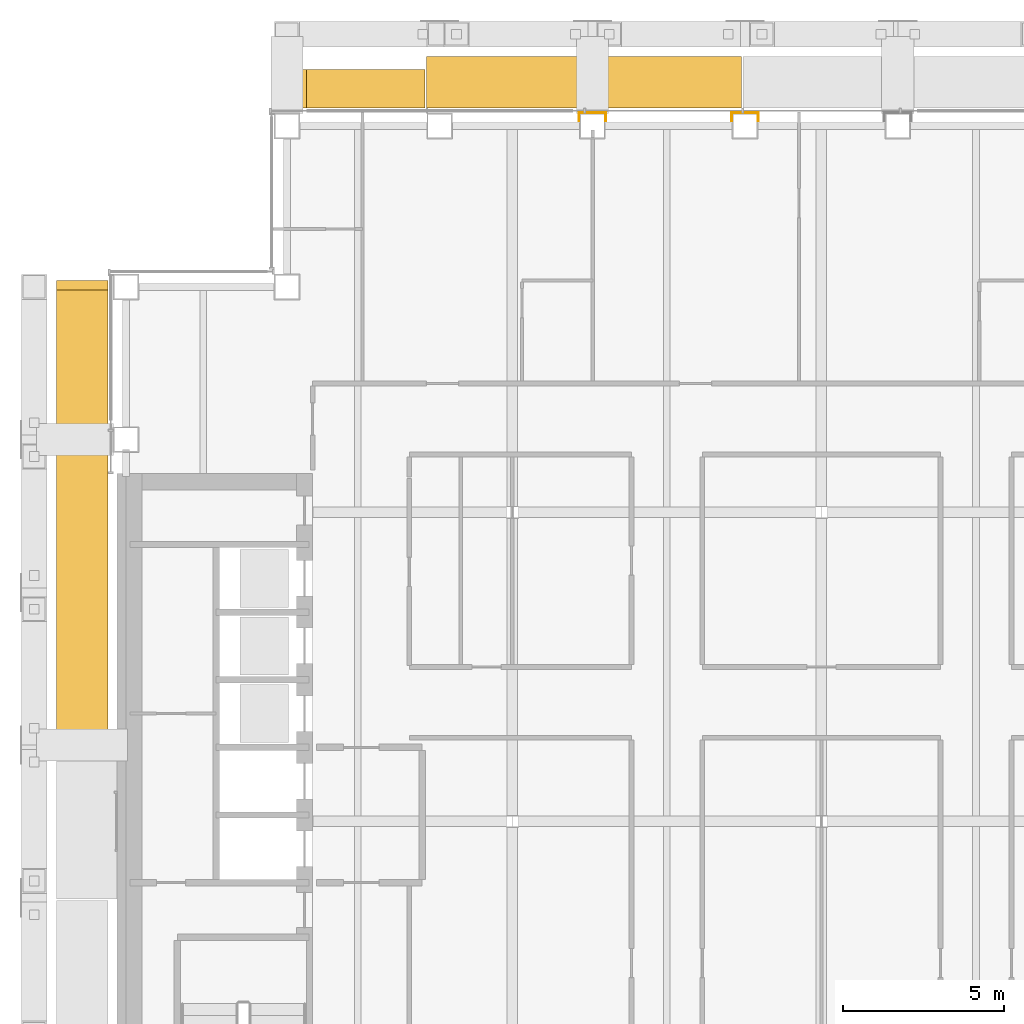
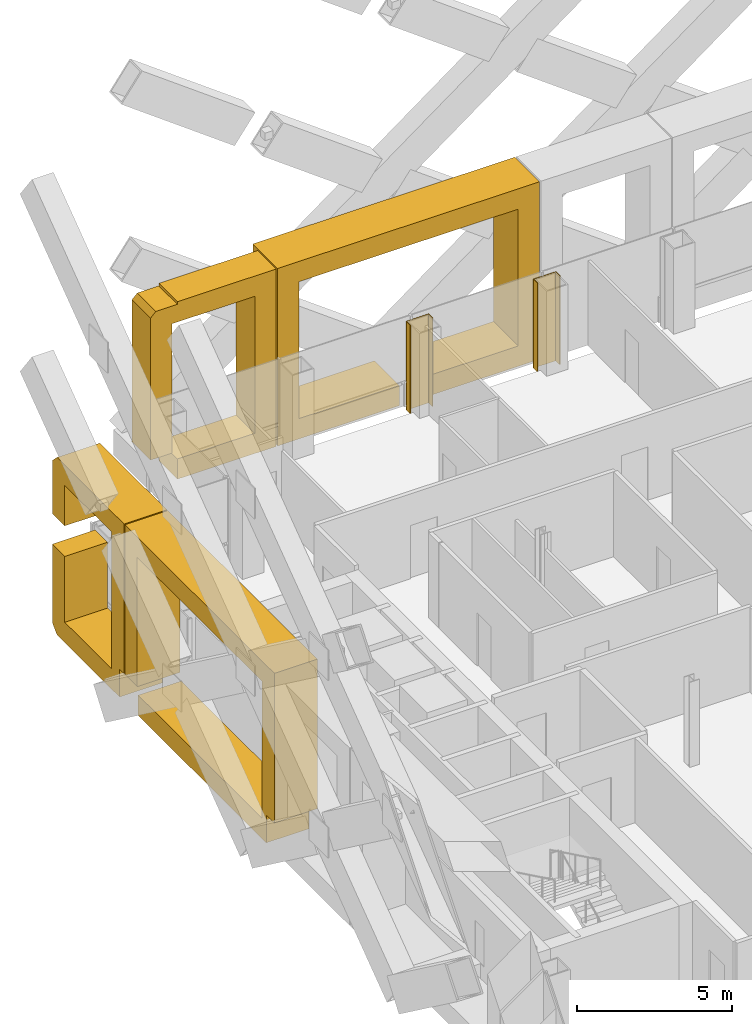
# One storey, part 22 of 25: 10 coverings.
"""IFC4 building model written with IfcOpenShell, lengths in metres."""

import ifcopenshell
import ifcopenshell.guid

model = None  # the IFC model being written
_history = None  # IfcOwnerHistory: only IFC2X3 demands one
_inside = {}  # id of a spatial element -> (the spatial element, [elements in it])
_under = {}  # id of a project, library or spatial element -> (it, [spatial elements below it])
_declared = {}  # id of a project -> (the project, [libraries it declares])
_typed = {}  # id of a type object -> (the type object, [elements of that type])
_made_of = {}  # id of a material, layer set ... -> (it, [elements and type objects made of it])


def new_model(schema):
    """Start an empty IFC model of exactly this schema.

    Asked for "IFC4X3", IfcOpenShell would pick the latest addendum, in which some entities
    have other attributes; the version numbers below select the first issue.
    IFC2X3 requires an IfcOwnerHistory on every rooted entity: one is made here for all.
    """
    global model, _history
    if schema == "IFC4X3":
        model = ifcopenshell.file(schema_version=(4, 3, 0, 0))
    else:
        model = ifcopenshell.file(schema=schema)
    _inside.clear()
    _under.clear()
    _declared.clear()
    _typed.clear()
    _made_of.clear()
    _history = None
    if model.schema == "IFC2X3":
        org = make("IfcOrganization", Name="unknown")
        user = make(
            "IfcPersonAndOrganization",
            ThePerson=make("IfcPerson", FamilyName="unknown"),
            TheOrganization=org,
        )
        app = make(
            "IfcApplication",
            ApplicationDeveloper=org,
            Version="unknown",
            ApplicationFullName="unknown",
            ApplicationIdentifier="unknown",
        )
        _history = make(
            "IfcOwnerHistory",
            OwningUser=user,
            OwningApplication=app,
            ChangeAction="ADDED",
            CreationDate=0,
        )
    return model


def make(cls, **values):
    """One entity of the class cls with the attributes given. An attribute that is None is left unset."""
    return model.create_entity(
        cls, **{name: value for name, value in values.items() if value is not None}
    )


def rooted(cls, **values):
    """An entity with a GlobalId (a new one), such as an element, a storey or a relation."""
    return make(cls, GlobalId=ifcopenshell.guid.new(), OwnerHistory=_history, **values)


def si_unit(unit_type, name, prefix=None):
    """IfcSIUnit, for example si_unit("LENGTHUNIT", "METRE", prefix="MILLI")."""
    return make("IfcSIUnit", UnitType=unit_type, Prefix=prefix, Name=name)


def assignment(units):
    """IfcUnitAssignment: the units of a project."""
    return None if units is None else make("IfcUnitAssignment", Units=units)


def point(xyz):
    """IfcCartesianPoint."""
    return None if xyz is None else make("IfcCartesianPoint", Coordinates=xyz)


def direction(xyz):
    """IfcDirection."""
    return None if xyz is None else make("IfcDirection", DirectionRatios=xyz)


def frame(location, z_axis=None, x_axis=None):
    """IfcAxis2Placement3D, a coordinate frame: its origin and axes. An axis left out is left unset."""
    return make(
        "IfcAxis2Placement3D",
        Location=point(location),
        Axis=direction(z_axis),
        RefDirection=direction(x_axis),
    )


def frame_2d(location, x_axis=None):
    """IfcAxis2Placement2D, a coordinate frame in the plane: its origin and x axis."""
    return make(
        "IfcAxis2Placement2D", Location=point(location), RefDirection=direction(x_axis)
    )


def origin():
    """The frame at (0, 0, 0) with its axes left unset."""
    return frame((0.0, 0.0, 0.0))


def origin_2d():
    """The frame at (0, 0) in the plane with its x axis left unset."""
    return frame_2d((0.0, 0.0))


def place(relative_to, where):
    """IfcLocalPlacement: puts the frame where relative to a parent placement (None: the world)."""
    return make(
        "IfcLocalPlacement", PlacementRelTo=relative_to, RelativePlacement=where
    )


def context(
    kind, dimensions, precision=None, world=None, true_north=None, identifier=None
):
    """IfcGeometricRepresentationContext, for example the 3D "Model" context."""
    return make(
        "IfcGeometricRepresentationContext",
        ContextIdentifier=identifier,
        ContextType=kind,
        CoordinateSpaceDimension=dimensions,
        Precision=precision,
        WorldCoordinateSystem=world,
        TrueNorth=true_north,
    )


def subcontext(parent, identifier, kind, view, scale=None):
    """IfcGeometricRepresentationSubContext, for example "Body" below "Model"."""
    return make(
        "IfcGeometricRepresentationSubContext",
        ContextIdentifier=identifier,
        ContextType=kind,
        ParentContext=parent,
        TargetScale=scale,
        TargetView=view,
    )


def project(units=None, contexts=None):
    """IfcProject with its units and contexts."""
    return rooted(
        "IfcProject",
        Name="project",
        RepresentationContexts=contexts,
        UnitsInContext=assignment(units),
    )


def spatial(cls, under=None, at=None, **own):
    """A site, building, storey or space (cls), placed at a placement, below another one or the project."""
    s = rooted(cls, ObjectPlacement=at, **own)
    if under is not None:
        _under.setdefault(under.id(), (under, []))[1].append(s)
    return s


def polyline(points):
    """IfcPolyline through the points."""
    return make("IfcPolyline", Points=[point(p) for p in points])


def profile(cls, at=None, kind="AREA", **sizes):
    """A parametric profile (cls). Its sizes go by their IFC names, for example OverallWidth=200.0."""
    return make(cls, ProfileType=kind, Position=at, **sizes)


def rectangle(**sizes):
    """IfcRectangleProfileDef."""
    return profile("IfcRectangleProfileDef", **sizes)


def outline(outer, holes=None, kind="AREA"):
    """IfcArbitraryClosedProfileDef: a profile drawn as a closed curve; with holes, ...WithVoids."""
    if holes is None:
        return make("IfcArbitraryClosedProfileDef", ProfileType=kind, OuterCurve=outer)
    return make(
        "IfcArbitraryProfileDefWithVoids",
        ProfileType=kind,
        OuterCurve=outer,
        InnerCurves=holes,
    )


def extrude(swept, where, along, depth):
    """IfcExtrudedAreaSolid: the profile swept, set in the frame where, extruded along a direction by depth."""
    return make(
        "IfcExtrudedAreaSolid",
        SweptArea=swept,
        Position=where,
        ExtrudedDirection=direction(along),
        Depth=depth,
    )


def shape(context_of_items, identifier, shape_type, items):
    """IfcShapeRepresentation: the items that make up one representation, for example the "Body"."""
    return make(
        "IfcShapeRepresentation",
        ContextOfItems=context_of_items,
        RepresentationIdentifier=identifier,
        RepresentationType=shape_type,
        Items=items,
    )


def material(Name=None, Category=None):
    """IfcMaterial."""
    return make("IfcMaterial", Name=Name, Category=Category)


def layer(
    of_material, thickness, ventilated=None, Name=None, Category=None, Priority=None
):
    """IfcMaterialLayer: one layer of a wall or slab, of a material (None: an air gap)."""
    return make(
        "IfcMaterialLayer",
        Material=of_material,
        LayerThickness=thickness,
        IsVentilated=ventilated,
        Name=Name,
        Category=Category,
        Priority=Priority,
    )


def layer_set(layers, Name=None):
    """IfcMaterialLayerSet."""
    return make("IfcMaterialLayerSet", MaterialLayers=layers, LayerSetName=Name)


def made_of(thing, what):
    """Note that an element or type object is made of a material, layer set ...; save() writes the relation."""
    if what is not None:
        _made_of.setdefault(what.id(), (what, []))[1].append(thing)
    return thing


def type_object(cls, material=None, **own):
    """A type object (cls), such as IfcWallType, which elements share."""
    return made_of(rooted(cls, **own), material)


def element(
    cls,
    number,
    at=None,
    inside=None,
    cuts=None,
    type_object=None,
    material=None,
    context=None,
    identifier="Body",
    shape_type=None,
    held_by="IfcProductDefinitionShape",
    body=None,
    shapes=None,
    **own,
):
    """One element of the class cls, such as IfcWall. Its Tag is "e" and its number.

    at: its placement. inside: the storey or other place that contains it. cuts: it is an
    opening in that element (IfcRelVoidsElement). A single representation is given by context,
    identifier, shape_type and body (its items); several are given by shapes. held_by: the class
    of the entity that holds the representations. save() writes the other relations.
    """
    e = rooted(cls, Tag="e%d" % number, ObjectPlacement=at, **own)
    if body is not None:
        shapes = [shape(context, identifier, shape_type, body)]
    if shapes is not None:
        e.Representation = make(held_by, Representations=shapes)
    if inside is not None:
        _inside.setdefault(inside.id(), (inside, []))[1].append(e)
    if cuts is not None:
        rooted(
            "IfcRelVoidsElement", RelatingBuildingElement=cuts, RelatedOpeningElement=e
        )
    if type_object is not None:
        _typed.setdefault(type_object.id(), (type_object, []))[1].append(e)
    return made_of(e, material)


def aggregate(whole, parts):
    """IfcRelAggregates: a whole, such as a stair, and the parts it consists of."""
    return rooted("IfcRelAggregates", RelatingObject=whole, RelatedObjects=parts)


def save(model, path):
    """Write the relations noted so far, then the file.

    IfcRelAggregates (storeys below a building ...), IfcRelContainedInSpatialStructure (elements
    in a storey), IfcRelDefinesByType, IfcRelAssociatesMaterial and IfcRelDeclares: one each for
    every whole, place, type object, material and project.
    """
    for whole, parts in _under.values():
        aggregate(whole, parts)
    for where, things in _inside.values():
        rooted(
            "IfcRelContainedInSpatialStructure",
            RelatedElements=things,
            RelatingStructure=where,
        )
    for kind, things in _typed.values():
        rooted("IfcRelDefinesByType", RelatedObjects=things, RelatingType=kind)
    for what, things in _made_of.values():
        rooted("IfcRelAssociatesMaterial", RelatedObjects=things, RelatingMaterial=what)
    for by, libraries in _declared.values():
        rooted("IfcRelDeclares", RelatingContext=by, RelatedDefinitions=libraries)
    model.write(path)


model = new_model("IFC4")

# Units and contexts
model_context = context("Model", 3, precision=1e-05, world=origin(), true_north=direction((0.0, 1.0)))
body_context = subcontext(model_context, "Body", "Model", "MODEL_VIEW")
ifc_project = project(units=[si_unit("LENGTHUNIT", "METRE"), si_unit("AREAUNIT", "SQUARE_METRE"), si_unit("VOLUMEUNIT", "CUBIC_METRE"), si_unit("PLANEANGLEUNIT", "RADIAN"), si_unit("MASSUNIT", "GRAM", prefix="KILO")], contexts=[model_context])

# Site, building, storey
site_placement = place(None, origin())
site = spatial("IfcSite", under=ifc_project, at=site_placement, CompositionType="ELEMENT")
building_placement = place(site_placement, origin())
building = spatial("IfcBuilding", under=site, at=building_placement, Name="Cobrizo Arcos Hotel Tower", CompositionType="ELEMENT")
storey_placement = place(building_placement, frame((0.0, 0.0, 148.0)))
storey = spatial("IfcBuildingStorey", under=building, at=storey_placement, Name="L37", CompositionType="ELEMENT", Elevation=148.0)

# Coverings
ifc_material_1 = material(Name="Aluminium 6063-T6 anodised bronze", Category="aluminium")
covering_type_1 = type_object("IfcCoveringType", Name="FIN-F 1200", PredefinedType="CLADDING", material=ifc_material_1)
covering_1_placement = place(storey_placement, frame((-12.310791015625, 22.14990234375, 0.0), z_axis=(0.0, 1.0, 0.0), x_axis=(-1.0, 0.0, 0.0)))
element("IfcCovering", 1, at=covering_1_placement, inside=storey, type_object=covering_type_1, Name="Fin frame 175", PredefinedType="CLADDING", context=body_context, shape_type="SweptSolid", body=[
    extrude(outline(polyline([(0.0, 0.0), (3.687255859375, 0.0), (3.687255859375, 0.800048828125), (0.800048828125, 0.800048828125), (0.800048828125, 6.199951171875), (3.889404296875, 6.199951171875), (3.889404296875, 1.10205078125), (4.689208984375, 1.10205078125), (4.689208984375, 6.699951171875), (4.4912109375, 6.89794921875), (3.687255859375, 6.89794921875), (3.687255859375, 7.0), (0.0, 7.0), (0.0, 0.0)])), origin(), (0.0, 0.0, 1.0), 1.2001953125),
])
covering_type_2 = type_object("IfcCoveringType", Name="FIN-F 1600", PredefinedType="CLADDING", material=ifc_material_1)
covering_2_placement = place(storey_placement, frame((-2.482177734375, 22.14990234375, 0.0), z_axis=(0.0, 1.0, 0.0), x_axis=(-1.0, 0.0, 0.0)))
element("IfcCovering", 2, at=covering_2_placement, inside=storey, type_object=covering_type_2, Name="Fin frame 174", PredefinedType="CLADDING", context=body_context, shape_type="SweptSolid", body=[
    extrude(outline(polyline([(0.0, 0.0), (4.0302734375, 0.0), (4.0302734375, 0.800048828125), (0.800048828125, 0.800048828125), (0.800048828125, 6.199951171875), (8.978515625, 6.199951171875), (8.978515625, 0.800048828125), (5.234130859375, 0.800048828125), (5.234130859375, 0.0), (9.778564453125, 0.0), (9.778564453125, 7.0), (0.0, 7.0), (0.0, 0.0)])), origin(), (0.0, 0.0, 1.0), 1.60009765625),
])
covering_3_placement = place(storey_placement, frame((-22.14990234375, 16.800048828125, 0.0), z_axis=(-1.0, 0.0, 0.0), x_axis=(0.0, -1.0, 0.0)))
element("IfcCovering", 3, at=covering_3_placement, inside=storey, type_object=covering_type_2, Name="Fin frame 261", PredefinedType="CLADDING", context=body_context, shape_type="SweptSolid", body=[
    extrude(outline(polyline([(0.300048828125, 0.0), (4.3408203125, 0.0), (4.3408203125, 1.10205078125), (4.632080078125, 1.10205078125), (4.632080078125, 7.0), (0.300048828125, 7.0), (0.0, 6.699951171875), (0.0, 4.60205078125), (0.800048828125, 4.60205078125), (0.800048828125, 6.199951171875), (3.83203125, 6.199951171875), (3.83203125, 0.800048828125), (0.800048828125, 0.800048828125), (0.800048828125, 3.39794921875), (0.0, 3.39794921875), (0.0, 0.300048828125), (0.300048828125, 0.0)])), origin(), (0.0, 0.0, 1.0), 1.60009765625),
])
covering_4_placement = place(storey_placement, frame((-22.14990234375, 12.117919921875, 0.0), z_axis=(-1.0, 0.0, 0.0), x_axis=(0.0, -1.0, 0.0)))
element("IfcCovering", 4, at=covering_4_placement, inside=storey, type_object=covering_type_2, Name="Fin frame 262", PredefinedType="CLADDING", context=body_context, shape_type="SweptSolid", body=[
    extrude(outline(polyline([(0.86279296875, 0.0), (9.14453125, 0.0), (9.14453125, 1.10205078125), (9.664306640625, 1.10205078125), (9.664306640625, 7.0), (0.0, 7.0), (0.0, 1.10205078125), (0.800048828125, 1.10205078125), (0.800048828125, 6.199951171875), (8.8642578125, 6.199951171875), (8.8642578125, 0.800048828125), (0.86279296875, 0.800048828125), (0.86279296875, 0.0)])), origin(), (0.0, 0.0, 1.0), 1.60009765625),
])
ifc_material_2 = material(Name="Aluminium 6063-T6 anodised pale", Category="aluminium")
ifc_layer = layer(ifc_material_2, 0.030029296875)
ifc_layer_set = layer_set([ifc_layer], Name="PC-1 column casing pale metal 30")
covering_type_3 = type_object("IfcCoveringType", Name="PC-1 column casing pale metal 30", PredefinedType="CLADDING", material=ifc_layer_set)
covering_5_placement = place(storey_placement, frame((-7.114013671875, 22.014892578125, -0.14990234375), z_axis=(0.0, 0.0, 1.0), x_axis=(1.0, 0.0, 0.0)))
element("IfcCovering", 5, at=covering_5_placement, inside=storey, type_object=covering_type_3, Name="Pool hall column casing 13", PredefinedType="CLADDING", context=body_context, shape_type="SweptSolid", body=[
    extrude(rectangle(XDim=0.860107421875, YDim=0.030029296875, at=origin_2d()), origin(), (0.0, 0.0, 1.0), 3.5),
])
for number, where, z_axis, x_axis, name in (
    (6, (-7.529052734375, 21.875, -0.14990234375), (0.0, 0.0, 1.0), (1.0, 0.0, 0.0), "Pool hall column casing 14"),
    (7, (-6.698974609375, 21.875, -0.14990234375), (0.0, 0.0, 1.0), (1.0, 0.0, 0.0), "Pool hall column casing 15"),
):
    element("IfcCovering", number, at=place(storey_placement, frame(where, z_axis=z_axis, x_axis=x_axis)), inside=storey, type_object=covering_type_3, Name=name, PredefinedType="CLADDING", context=body_context, shape_type="SweptSolid", body=[
        extrude(rectangle(XDim=0.030029296875, YDim=0.25, at=origin_2d()), origin(), (0.0, 0.0, 1.0), 3.5),
    ])
covering_6_placement = place(storey_placement, frame((-2.37109375, 22.014892578125, -0.14990234375), z_axis=(0.0, 0.0, 1.0), x_axis=(1.0, 0.0, 0.0)))
element("IfcCovering", 8, at=covering_6_placement, inside=storey, type_object=covering_type_3, Name="Pool hall column casing 16", PredefinedType="CLADDING", context=body_context, shape_type="SweptSolid", body=[
    extrude(rectangle(XDim=0.860107421875, YDim=0.030029296875, at=origin_2d()), origin(), (0.0, 0.0, 1.0), 3.5),
])
for number, where, z_axis, x_axis, name in (
    (9, (-2.785888671875, 21.875, -0.14990234375), (0.0, 0.0, 1.0), (1.0, 0.0, 0.0), "Pool hall column casing 17"),
    (10, (-1.9560546875, 21.875, -0.14990234375), (0.0, 0.0, 1.0), (1.0, 0.0, 0.0), "Pool hall column casing 18"),
):
    element("IfcCovering", number, at=place(storey_placement, frame(where, z_axis=z_axis, x_axis=x_axis)), inside=storey, type_object=covering_type_3, Name=name, PredefinedType="CLADDING", context=body_context, shape_type="SweptSolid", body=[
        extrude(rectangle(XDim=0.030029296875, YDim=0.25, at=origin_2d()), origin(), (0.0, 0.0, 1.0), 3.5),
    ])

save(model, "model.ifc")
